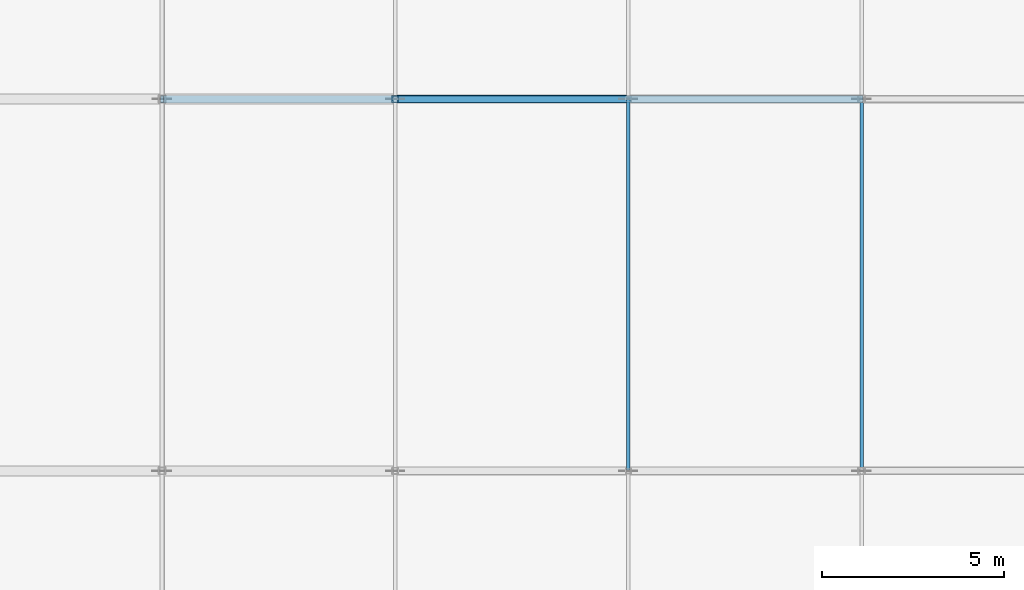
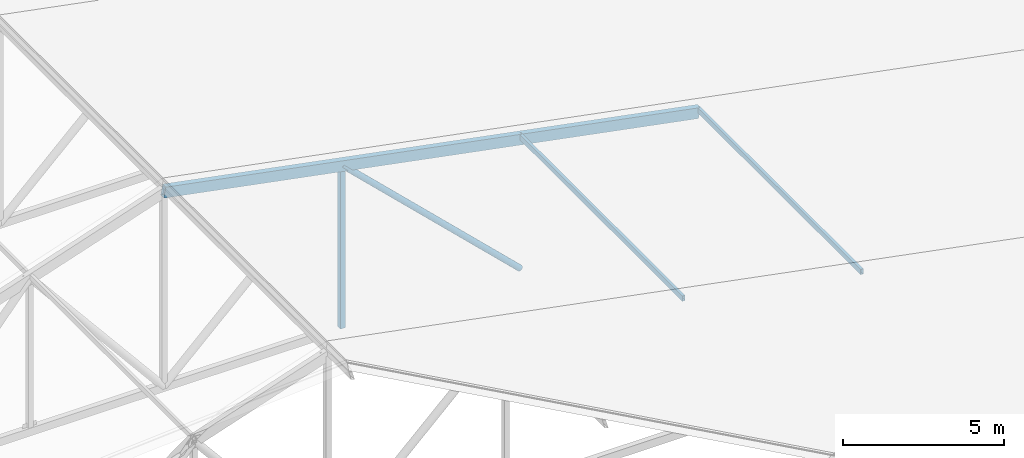
# One storey, part 67 of 200: 5 members.
"""IFC4 building model written with IfcOpenShell, lengths in metres."""

from ifc_helpers import new_model, si_unit, direction, frame, origin, origin_2d, place, context, subcontext, project, spatial, hollow_rectangle, hollow_circle, extrude, material, material_profile, profile_set, type_object, element, save


model = new_model("IFC4")

# Units and contexts
model_context = context("Model", 3, precision=1e-05, world=origin(), true_north=direction((0.0, 1.0)))
body_context = subcontext(model_context, "Body", "Model", "MODEL_VIEW")
ifc_project = project(units=[si_unit("LENGTHUNIT", "METRE"), si_unit("AREAUNIT", "SQUARE_METRE"), si_unit("VOLUMEUNIT", "CUBIC_METRE"), si_unit("PLANEANGLEUNIT", "RADIAN"), si_unit("MASSUNIT", "GRAM", prefix="KILO")], contexts=[model_context])

# Site, building, storey
site_placement = place(None, origin())
site = spatial("IfcSite", under=ifc_project, at=site_placement, CompositionType="ELEMENT")
building_placement = place(site_placement, origin())
building = spatial("IfcBuilding", under=site, at=building_placement, Name="Vondelvale Polytechnic", CompositionType="ELEMENT")
storey_placement = place(building_placement, frame((0.0, 0.0, 13.800048828125)))
storey = spatial("IfcBuildingStorey", under=building, at=storey_placement, Name="L03", CompositionType="ELEMENT", Elevation=13.800048828125)

# Members
ifc_material = material(Name="Steel C350L0 (fy = 350 MPa)", Category="steel")
ifc_material_profile_1 = material_profile(ifc_material, hollow_rectangle(XDim=0.10009765625, YDim=0.199951171875, WallThickness=0.006103515625, at=origin_2d()), Name="200x100x6.0RHS")
ifc_profile_set_1 = profile_set([ifc_material_profile_1], Name="Steel C350L0 (fy = 350 MPa)")
member_type_1 = type_object("IfcMemberType", Name="PURLIN RHS200", PredefinedType="PURLIN", material=ifc_profile_set_1)
for number, where, z_axis, x_axis, name in (
    (1, (22.39990234375, 91.800048828125, 4.614501953125), (0.0, 1.0, 0.0), (-1.0, 0.0, 0.0), "Workshop roof purlin bay 5"),
    (2, (28.800048828125, 91.800048828125, 3.38134765625), (0.0, 1.0, 0.0), (-1.0, 0.0, 0.0), "Workshop roof purlin bay 5"),
):
    element("IfcMember", number, at=place(storey_placement, frame(where, z_axis=z_axis, x_axis=x_axis)), inside=storey, type_object=member_type_1, Name=name, PredefinedType="PURLIN", context=body_context, shape_type="SweptSolid", body=[
        extrude(hollow_rectangle(XDim=0.10009765625, YDim=0.199951171875, WallThickness=0.006103515625, at=origin_2d()), origin(), (0.0, 0.0, 1.0), 10.199951171875),
    ])
ifc_material_profile_2 = material_profile(ifc_material, hollow_circle(Radius=0.109619140625, WallThickness=0.00830078125, at=origin_2d()), Name="219.1x8.2CHS")
ifc_profile_set_2 = profile_set([ifc_material_profile_2], Name="Steel C350L0 (fy = 350 MPa)")
member_type_2 = type_object("IfcMemberType", Name="ROOF TRUSS BRACE 219CHS", PredefinedType="BRACE", material=ifc_profile_set_2)
member_1_placement = place(storey_placement, frame((16.0, 102.0, 5.74658203125), z_axis=(0.720102098263, 0.0, -0.69386812009), x_axis=(0.0, 1.0, 0.0)))
element("IfcMember", 3, at=member_1_placement, inside=storey, type_object=member_type_2, Name="ROOF TRUSS TR-06 web diagonal 4", PredefinedType="BRACE", context=body_context, shape_type="SweptSolid", body=[
    extrude(hollow_circle(Radius=0.109619140625, WallThickness=0.00830078125, at=origin_2d()), origin(), (0.0, 0.0, 1.0), 8.887451171875),
])
ifc_material_profile_3 = material_profile(ifc_material, hollow_rectangle(XDim=0.175048828125, YDim=0.175048828125, WallThickness=0.006103515625, at=origin_2d()), Name="175x175x6.0SHS")
ifc_profile_set_3 = profile_set([ifc_material_profile_3], Name="Steel C350L0 (fy = 350 MPa)")
member_type_3 = type_object("IfcMemberType", Name="ROOF TRUSS POST 175SHS", PredefinedType="POST", material=ifc_profile_set_3)
member_2_placement = place(storey_placement, frame((16.0, 102.0, -0.420166015625), z_axis=(0.0, 0.0, 1.0), x_axis=(1.0, 0.0, 0.0)))
element("IfcMember", 4, at=member_2_placement, inside=storey, type_object=member_type_3, Name="ROOF TRUSS TR-06 vertical post 3", PredefinedType="POST", context=body_context, shape_type="SweptSolid", body=[
    extrude(hollow_rectangle(XDim=0.175048828125, YDim=0.175048828125, WallThickness=0.006103515625, at=origin_2d()), origin(), (0.0, 0.0, 1.0), 6.166748046875),
])
ifc_material_profile_4 = material_profile(ifc_material, hollow_rectangle(XDim=0.199951171875, YDim=0.39990234375, WallThickness=0.010009765625, at=origin_2d()), Name="400x200x10.0RHS")
ifc_profile_set_4 = profile_set([ifc_material_profile_4], Name="Steel C350L0 (fy = 350 MPa)")
member_type_4 = type_object("IfcMemberType", Name="ROOF TRUSS TOP CHORD 400RHS", PredefinedType="CHORD", material=ifc_profile_set_4)
member_3_placement = place(storey_placement, frame((9.60009765625, 102.0, 6.97998046875), z_axis=(0.981933791982, 0.0, -0.189224808533), x_axis=(0.0, 1.0, 0.0)))
element("IfcMember", 5, at=member_3_placement, inside=storey, type_object=member_type_4, Name="ROOF TRUSS TR-06 top chord 3", PredefinedType="CHORD", context=body_context, shape_type="SweptSolid", body=[
    extrude(hollow_rectangle(XDim=0.199951171875, YDim=0.39990234375, WallThickness=0.010009765625, at=origin_2d()), origin(), (0.0, 0.0, 1.0), 19.55322265625),
])

save(model, "model.ifc")
